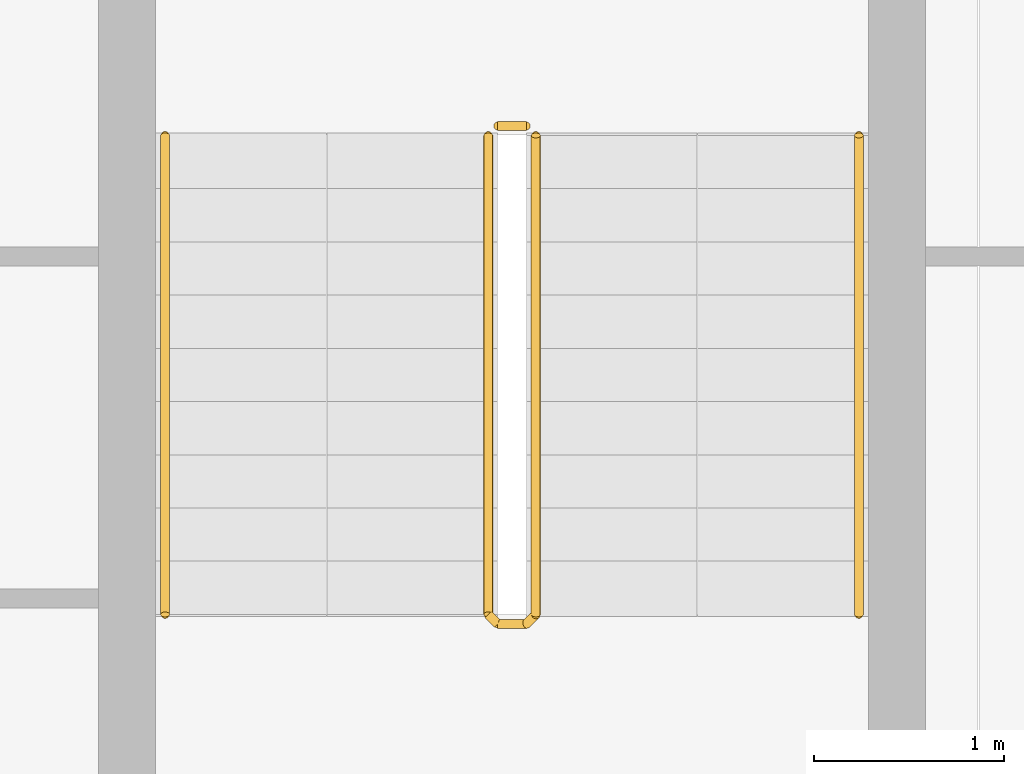
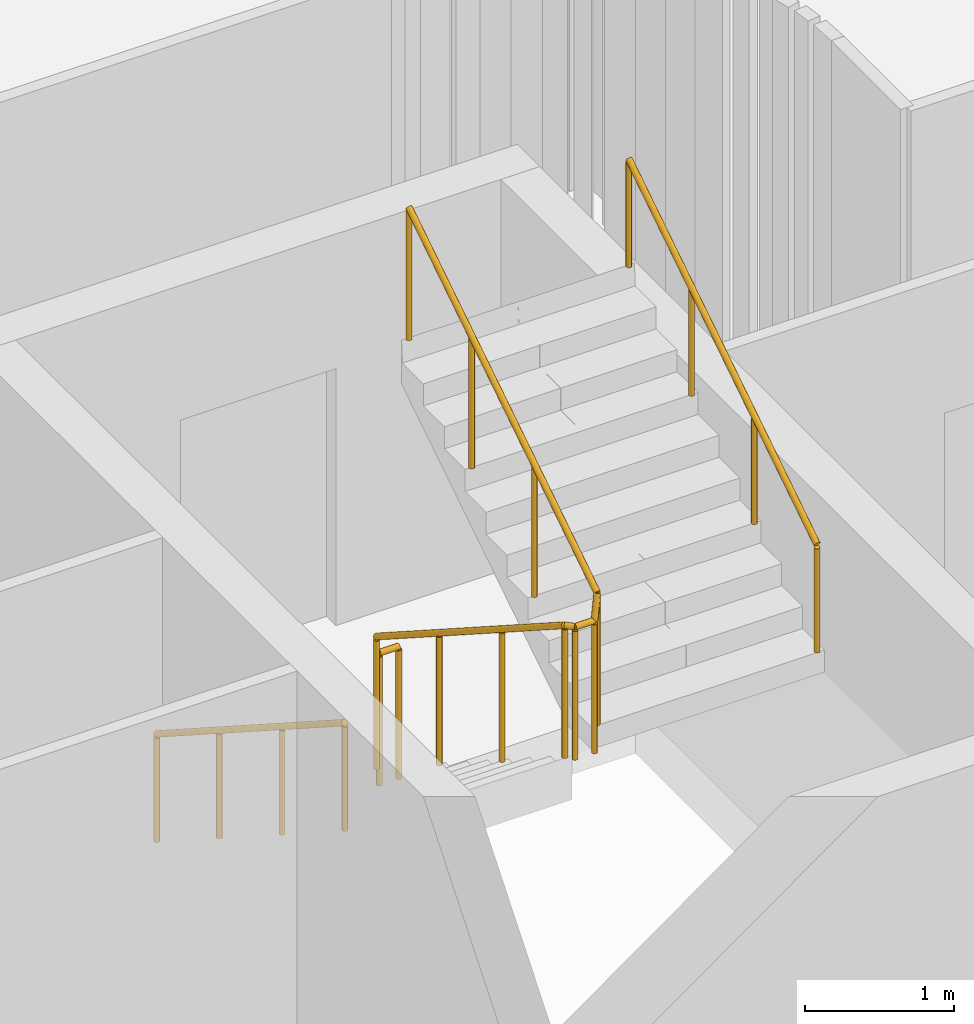
# One storey, part 28 of 30: 4 railings.
"""IFC4 building model written with IfcOpenShell, lengths in metres."""

from ifc_helpers import new_model, si_unit, direction, frame, origin, origin_2d, place, context, subcontext, project, spatial, circle, extrude, material, type_object, element, save


model = new_model("IFC4")

# Units and contexts
model_context = context("Model", 3, precision=1e-05, world=origin(), true_north=direction((0.0, 1.0)))
body_context = subcontext(model_context, "Body", "Model", "MODEL_VIEW")
ifc_project = project(units=[si_unit("LENGTHUNIT", "METRE"), si_unit("AREAUNIT", "SQUARE_METRE"), si_unit("VOLUMEUNIT", "CUBIC_METRE"), si_unit("PLANEANGLEUNIT", "RADIAN"), si_unit("MASSUNIT", "GRAM", prefix="KILO")], contexts=[model_context])

# Site, building, storey
site_placement = place(None, origin())
site = spatial("IfcSite", under=ifc_project, at=site_placement, CompositionType="ELEMENT")
building_placement = place(site_placement, origin())
building = spatial("IfcBuilding", under=site, at=building_placement, Name="Wharfspan Tower", CompositionType="ELEMENT")
storey_placement = place(building_placement, frame((0.0, 0.0, 107.5)))
storey = spatial("IfcBuildingStorey", under=building, at=storey_placement, Name="L24", CompositionType="ELEMENT", Elevation=107.5)

# Railings
ifc_material = material(Name="Steel S355J2", Category="steel")
railing_type_1 = type_object("IfcRailingType", Name="Stair guard 1100", PredefinedType="GUARDRAIL", material=ifc_material)
railing_1_placement = place(storey_placement, frame((43.235352, 6.316895, 0.179932)))
element("IfcRailing", 1, at=railing_1_placement, inside=storey, type_object=railing_type_1, Name="L24 ST4 stair guard 1", PredefinedType="GUARDRAIL", context=body_context, shape_type="SweptSolid", body=[
    extrude(circle(Radius=0.023926, at=origin_2d()), frame((0.0, 0.0, 1.076172), z_axis=(0.0, -0.841163, 0.540782), x_axis=(1.0, 0.0, 0.0)), (0.0, 0.0, 1.0), 2.99585),
    extrude(circle(Radius=0.023926, at=origin_2d()), frame((0.0, -2.52002, 2.696289), z_axis=(0.707107, -0.707107, 0.0), x_axis=(0.707107, 0.707107, 0.0)), (0.0, 0.0, 1.0), 0.070312),
    extrude(circle(Radius=0.023926, at=origin_2d()), frame((0.049805, -2.569824, 2.696289), z_axis=(1.0, 0.0, 0.0), x_axis=(0.0, 1.0, 0.0)), (0.0, 0.0, 1.0), 0.150146),
    extrude(circle(Radius=0.023926, at=origin_2d()), frame((0.199951, -2.569824, 2.696289), z_axis=(0.258932, 0.257669, 0.930892), x_axis=(-0.705372, 0.708833, -1e-06)), (0.0, 0.0, 1.0), 0.193359),
    extrude(circle(Radius=0.023926, at=origin_2d()), frame((0.25, -2.52002, 2.875977), z_axis=(0.0, 0.841163, 0.540782), x_axis=(-1.0, 0.0, 0.0)), (0.0, 0.0, 1.0), 2.99585),
    extrude(circle(Radius=0.020996, at=origin_2d()), origin(), (0.0, 0.0, 1.0), 1.052002),
    extrude(circle(Radius=0.020996, at=origin_2d()), frame((0.0, -0.840088, 0.540039)), (0.0, 0.0, 1.0), 1.052002),
    extrude(circle(Radius=0.020996, at=origin_2d()), frame((0.0, -1.679932, 1.080078)), (0.0, 0.0, 1.0), 1.052002),
    extrude(circle(Radius=0.020996, at=origin_2d()), frame((0.0, -2.52002, 1.620117)), (0.0, 0.0, 1.0), 1.052002),
    extrude(circle(Radius=0.020996, at=origin_2d()), frame((0.049805, -2.569824, 1.620117)), (0.0, 0.0, 1.0), 1.052002),
    extrude(circle(Radius=0.020996, at=origin_2d()), frame((0.199951, -2.569824, 1.620117)), (0.0, 0.0, 1.0), 1.052002),
    extrude(circle(Radius=0.020996, at=origin_2d()), frame((0.25, -2.52002, 1.800049)), (0.0, 0.0, 1.0), 1.052002),
    extrude(circle(Radius=0.020996, at=origin_2d()), frame((0.25, -1.679932, 2.340088)), (0.0, 0.0, 1.0), 1.052002),
    extrude(circle(Radius=0.020996, at=origin_2d()), frame((0.25, -0.840088, 2.880127)), (0.0, 0.0, 1.0), 1.052002),
    extrude(circle(Radius=0.020996, at=origin_2d()), frame((0.25, 0.0, 3.420166)), (0.0, 0.0, 1.0), 1.052002),
])
railing_2_placement = place(storey_placement, frame((43.285156, 6.366943, 0.0)))
element("IfcRailing", 2, at=railing_2_placement, inside=storey, type_object=railing_type_1, Name="L24 ST4 stair guard 2", PredefinedType="GUARDRAIL", context=body_context, shape_type="SweptSolid", body=[
    extrude(circle(Radius=0.023926, at=origin_2d()), frame((0.0, 0.0, 1.076172), z_axis=(1.0, 0.0, 0.0), x_axis=(0.0, 1.0, 0.0)), (0.0, 0.0, 1.0), 0.150146),
    extrude(circle(Radius=0.020996, at=origin_2d()), origin(), (0.0, 0.0, 1.0), 1.052002),
    extrude(circle(Radius=0.020996, at=origin_2d()), frame((0.150146, 0.0, 0.0)), (0.0, 0.0, 1.0), 1.052002),
])
railing_type_2 = type_object("IfcRailingType", Name="Stair handrail 900", PredefinedType="HANDRAIL", material=ifc_material)
railing_3_placement = place(storey_placement, frame((41.535156, 6.316895, 0.179932)))
element("IfcRailing", 3, at=railing_3_placement, inside=storey, type_object=railing_type_2, Name="L24 ST4 stair handrail 1", PredefinedType="HANDRAIL", context=body_context, shape_type="SweptSolid", body=[
    extrude(circle(Radius=0.023926, at=origin_2d()), frame((0.0, 0.0, 0.875977), z_axis=(0.0, -0.841163, 0.540782), x_axis=(1.0, 0.0, 0.0)), (0.0, 0.0, 1.0), 2.99585),
    extrude(circle(Radius=0.020996, at=origin_2d()), origin(), (0.0, 0.0, 1.0), 0.851807),
    extrude(circle(Radius=0.020996, at=origin_2d()), frame((0.0, -0.840088, 0.540039)), (0.0, 0.0, 1.0), 0.851807),
    extrude(circle(Radius=0.020996, at=origin_2d()), frame((0.0, -1.679932, 1.080078)), (0.0, 0.0, 1.0), 0.851807),
    extrude(circle(Radius=0.020996, at=origin_2d()), frame((0.0, -2.52002, 1.620117)), (0.0, 0.0, 1.0), 0.851807),
])
railing_4_placement = place(storey_placement, frame((45.185303, 3.796875, 1.97998)))
element("IfcRailing", 4, at=railing_4_placement, inside=storey, type_object=railing_type_2, Name="L24 ST4 stair handrail 2", PredefinedType="HANDRAIL", context=body_context, shape_type="SweptSolid", body=[
    extrude(circle(Radius=0.023926, at=origin_2d()), frame((0.0, 0.0, 0.875977), z_axis=(0.0, 0.841163, 0.540782), x_axis=(-1.0, 0.0, 0.0)), (0.0, 0.0, 1.0), 2.99585),
    extrude(circle(Radius=0.020996, at=origin_2d()), origin(), (0.0, 0.0, 1.0), 0.851807),
    extrude(circle(Radius=0.020996, at=origin_2d()), frame((0.0, 0.840088, 0.540039)), (0.0, 0.0, 1.0), 0.851807),
    extrude(circle(Radius=0.020996, at=origin_2d()), frame((0.0, 1.679932, 1.080078)), (0.0, 0.0, 1.0), 0.851807),
    extrude(circle(Radius=0.020996, at=origin_2d()), frame((0.0, 2.52002, 1.620117)), (0.0, 0.0, 1.0), 0.851807),
])

save(model, "model.ifc")
